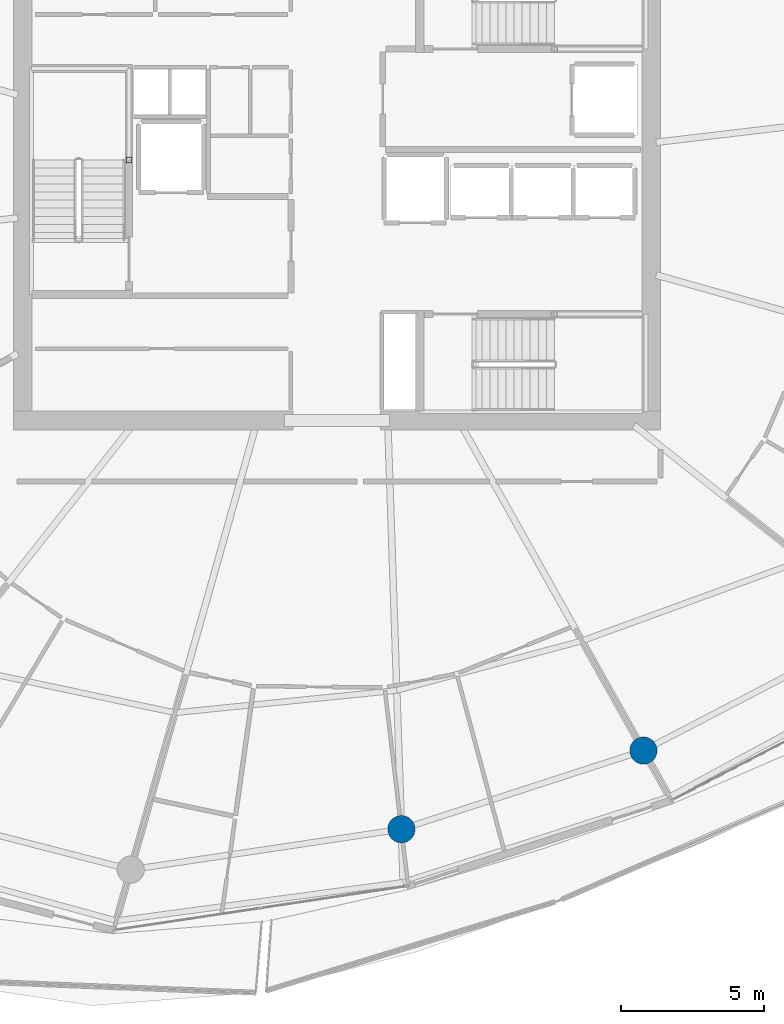
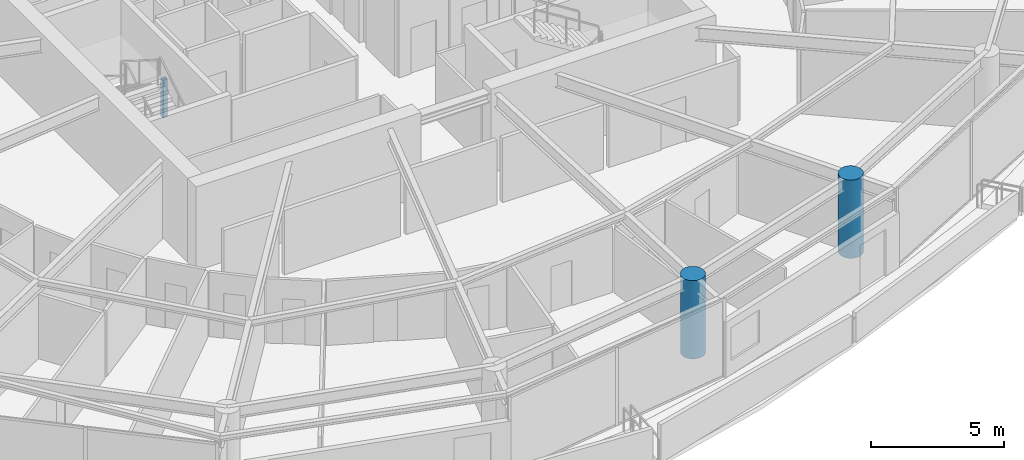
# One storey, part 2 of 31: 3 columns.
"""IFC4 building model written with IfcOpenShell, lengths in metres."""

from ifc_helpers import new_model, si_unit, direction, frame, origin, origin_2d, place, context, subcontext, project, spatial, hollow_rectangle, circle, extrude, material, material_profile, profile_set, type_object, element, save


model = new_model("IFC4")

# Units and contexts
model_context = context("Model", 3, precision=1e-05, world=origin(), true_north=direction((0.0, 1.0)))
body_context = subcontext(model_context, "Body", "Model", "MODEL_VIEW")
ifc_project = project(units=[si_unit("LENGTHUNIT", "METRE"), si_unit("AREAUNIT", "SQUARE_METRE"), si_unit("VOLUMEUNIT", "CUBIC_METRE"), si_unit("PLANEANGLEUNIT", "RADIAN"), si_unit("MASSUNIT", "GRAM", prefix="KILO")], contexts=[model_context])

# Site, building, storey
site_placement = place(None, origin())
site = spatial("IfcSite", under=ifc_project, at=site_placement, CompositionType="ELEMENT")
building_placement = place(site_placement, origin())
building = spatial("IfcBuilding", under=site, at=building_placement, Name="Kazma Halo Residences", CompositionType="ELEMENT")
storey_placement = place(building_placement, frame((0.0, 0.0, 240.550048828125)))
storey = spatial("IfcBuildingStorey", under=building, at=storey_placement, Name="L60", CompositionType="ELEMENT", Elevation=240.550048828125)

# Columns
ifc_material_1 = material(Name="Steel S355", Category="steel")
ifc_material_profile_1 = material_profile(ifc_material_1, hollow_rectangle(XDim=0.199951171875, YDim=0.199951171875, WallThickness=0.010009765625, InnerFilletRadius=0.010009765625, OuterFilletRadius=0.02001953125, at=origin_2d()), Name="SHS200x200x10")
ifc_profile_set_1 = profile_set([ifc_material_profile_1], Name="Steel S355")
column_type_1 = type_object("IfcColumnType", Name="COL-LP-SHS200", PredefinedType="COLUMN", material=ifc_profile_set_1)
column_placement = place(storey_placement, frame((41.179931640625, 42.75, 0.0), z_axis=(0.0, 0.0, 1.0), x_axis=(1.0, 0.0, 0.0)))
element("IfcColumn", 1, at=column_placement, inside=storey, type_object=column_type_1, Name="L60 ST-01 landing pilaster 1", PredefinedType="COLUMN", context=body_context, shape_type="SweptSolid", body=[
    extrude(hollow_rectangle(XDim=0.199951171875, YDim=0.199951171875, WallThickness=0.010009765625, InnerFilletRadius=0.010009765625, OuterFilletRadius=0.02001953125, at=origin_2d()), origin(), (0.0, 0.0, 1.0), 1.719970703125),
])
ifc_material_2 = material(Name="Concrete C60/75", Category="concrete")
ifc_material_profile_2 = material_profile(ifc_material_2, circle(Radius=0.47509765625, at=origin_2d()), Name="CIRC950")
ifc_profile_set_2 = profile_set([ifc_material_profile_2], Name="Concrete C60/75")
column_type_2 = type_object("IfcColumnType", Name="COL-PERIM-950", PredefinedType="COLUMN", material=ifc_profile_set_2)
for number, where, z_axis, x_axis, name in (
    (2, (50.67138671875, 19.42919921875, 0.0), (0.0, 0.0, 1.0), (1.0, 0.0, 0.0), "L60 perimeter ring column P12"),
    (3, (59.10546875, 22.169677734375, 0.0), (0.0, 0.0, 1.0), (1.0, 0.0, 0.0), "L60 perimeter ring column P13"),
):
    element("IfcColumn", number, at=place(storey_placement, frame(where, z_axis=z_axis, x_axis=x_axis)), inside=storey, type_object=column_type_2, Name=name, PredefinedType="COLUMN", context=body_context, shape_type="SweptSolid", body=[
        extrude(circle(Radius=0.47509765625, at=origin_2d()), origin(), (0.0, 0.0, 1.0), 3.58984375),
    ])

save(model, "model.ifc")
